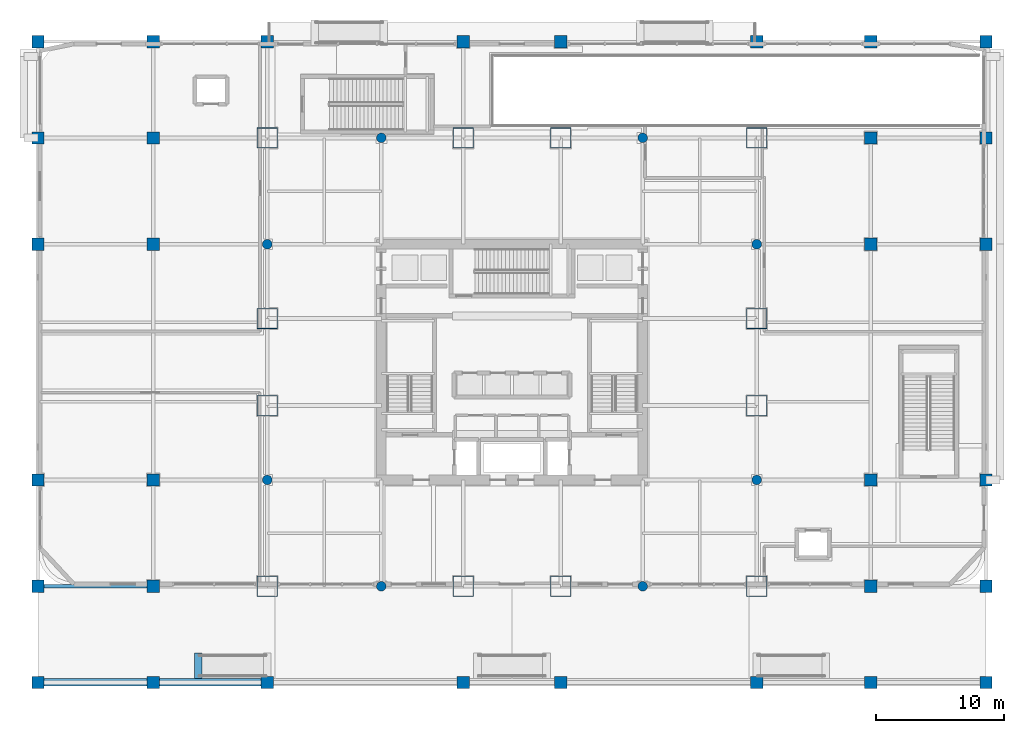
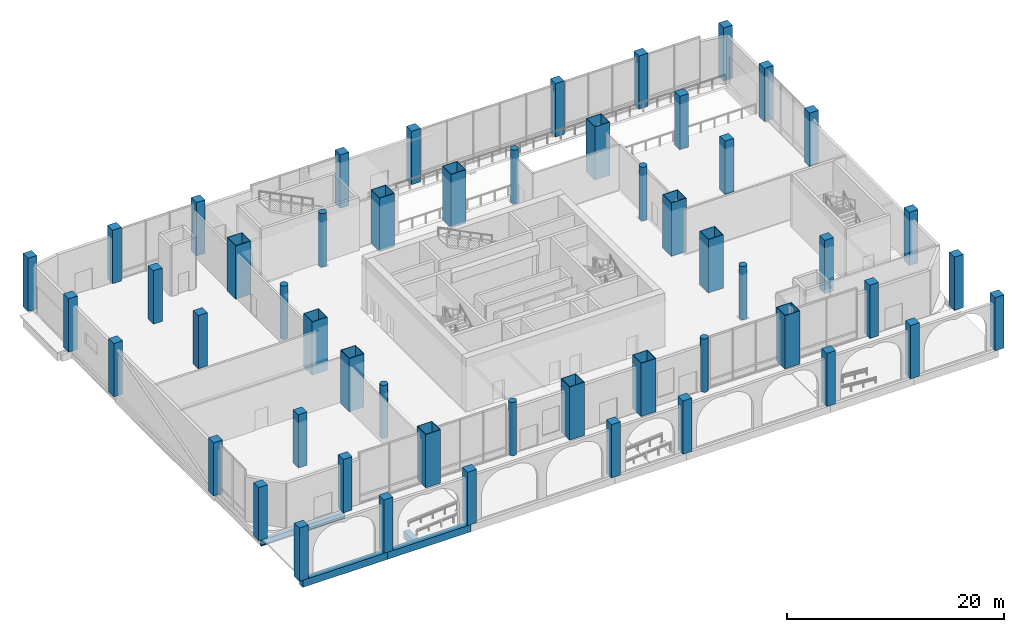
# One storey, part 1 of 32: 52 columns, 4 beams.
"""IFC4 building model written with IfcOpenShell, lengths in metres."""

from ifc_helpers import new_model, si_unit, direction, frame, origin, origin_2d, place, context, subcontext, project, spatial, rectangle, hollow_rectangle, circle, i_section, extrude, material, material_profile, profile_set, type_object, element, save


model = new_model("IFC4")

# Units and contexts
model_context = context("Model", 3, precision=1e-05, world=origin(), true_north=direction((0.0, 1.0)))
body_context = subcontext(model_context, "Body", "Model", "MODEL_VIEW")
ifc_project = project(units=[si_unit("LENGTHUNIT", "METRE"), si_unit("AREAUNIT", "SQUARE_METRE"), si_unit("VOLUMEUNIT", "CUBIC_METRE"), si_unit("PLANEANGLEUNIT", "RADIAN"), si_unit("MASSUNIT", "GRAM", prefix="KILO")], contexts=[model_context])

# Site, building, storey
site_placement = place(None, origin())
site = spatial("IfcSite", under=ifc_project, at=site_placement, CompositionType="ELEMENT")
building_placement = place(site_placement, origin())
building = spatial("IfcBuilding", under=site, at=building_placement, Name="Punatoya Terracotta Tower", CompositionType="ELEMENT")
storey_placement = place(building_placement, origin())
storey = spatial("IfcBuildingStorey", under=building, at=storey_placement, Name="L00", CompositionType="ELEMENT", Elevation=0.0)

# Columns
ifc_material_1 = material(Name="Steel S460", Category="steel")
ifc_material_profile_1 = material_profile(ifc_material_1, hollow_rectangle(XDim=1.60009765625, YDim=1.60009765625, WallThickness=0.050048828125, at=origin_2d()))
ifc_profile_set_1 = profile_set([ifc_material_profile_1], Name="Steel S460")
column_type_1 = type_object("IfcColumnType", Name="COL-MC-Z0", PredefinedType="COLUMN", material=ifc_profile_set_1)
for number, where, z_axis, x_axis, name in (
    (1, (-19.10009765625, -17.5, 0.0), (0.0, 0.0, 1.0), (1.0, 0.0, 0.0), "L00 Composite Mega-Column MC-01 (3-B)"),
    (2, (-3.800048828125, -17.5, 0.0), (0.0, 0.0, 1.0), (1.0, 0.0, 0.0), "L00 Composite Mega-Column MC-02 (5-B)"),
    (3, (3.800048828125, -17.5, 0.0), (0.0, 0.0, 1.0), (1.0, 0.0, 0.0), "L00 Composite Mega-Column MC-03 (7-B)"),
    (4, (19.10009765625, -17.5, 0.0), (0.0, 0.0, 1.0), (1.0, 0.0, 0.0), "L00 Composite Mega-Column MC-04 (9-B)"),
    (5, (19.10009765625, -3.39990234375, 0.0), (0.0, 0.0, 1.0), (1.0, 0.0, 0.0), "L00 Composite Mega-Column MC-05 (9-D)"),
    (6, (19.10009765625, 3.39990234375, 0.0), (0.0, 0.0, 1.0), (1.0, 0.0, 0.0), "L00 Composite Mega-Column MC-06 (9-E)"),
    (7, (19.10009765625, 17.5, 0.0), (0.0, 0.0, 1.0), (1.0, 0.0, 0.0), "L00 Composite Mega-Column MC-07 (9-G)"),
    (8, (3.800048828125, 17.5, 0.0), (0.0, 0.0, 1.0), (1.0, 0.0, 0.0), "L00 Composite Mega-Column MC-08 (7-G)"),
    (9, (-3.800048828125, 17.5, 0.0), (0.0, 0.0, 1.0), (1.0, 0.0, 0.0), "L00 Composite Mega-Column MC-09 (5-G)"),
    (10, (-19.10009765625, 17.5, 0.0), (0.0, 0.0, 1.0), (1.0, 0.0, 0.0), "L00 Composite Mega-Column MC-10 (3-G)"),
    (11, (-19.10009765625, 3.39990234375, 0.0), (0.0, 0.0, 1.0), (1.0, 0.0, 0.0), "L00 Composite Mega-Column MC-11 (3-E)"),
    (12, (-19.10009765625, -3.39990234375, 0.0), (0.0, 0.0, 1.0), (1.0, 0.0, 0.0), "L00 Composite Mega-Column MC-12 (3-D)"),
):
    element("IfcColumn", number, at=place(storey_placement, frame(where, z_axis=z_axis, x_axis=x_axis)), inside=storey, type_object=column_type_1, Name=name, PredefinedType="COLUMN", context=body_context, shape_type="SweptSolid", body=[
        extrude(hollow_rectangle(XDim=1.60009765625, YDim=1.60009765625, WallThickness=0.050048828125, at=origin_2d()), origin(), (0.0, 0.0, 1.0), 6.0),
    ])
ifc_material_2 = material(Name="Concrete C50/60", Category="concrete")
ifc_material_profile_2 = material_profile(ifc_material_2, circle(Radius=0.375, at=origin_2d()))
ifc_profile_set_2 = profile_set([ifc_material_profile_2], Name="Concrete C50/60")
column_type_2 = type_object("IfcColumnType", Name="COL-PIL-750", PredefinedType="PILASTER", material=ifc_profile_set_2)
for number, where, z_axis, x_axis, name in (
    (13, (-10.199951171875, -17.5, 0.0), (0.0, 0.0, 1.0), (1.0, 0.0, 0.0), "L00 Spine Arcade Pilaster PIL-01"),
    (14, (10.199951171875, -17.5, 0.0), (0.0, 0.0, 1.0), (1.0, 0.0, 0.0), "L00 Spine Arcade Pilaster PIL-02"),
    (15, (-10.199951171875, 17.5, 0.0), (0.0, 0.0, 1.0), (1.0, 0.0, 0.0), "L00 Spine Arcade Pilaster PIL-03"),
    (16, (10.199951171875, 17.5, 0.0), (0.0, 0.0, 1.0), (1.0, 0.0, 0.0), "L00 Spine Arcade Pilaster PIL-04"),
    (17, (-19.10009765625, -9.199951171875, 0.0), (0.0, 0.0, 1.0), (1.0, 0.0, 0.0), "L00 Spine Arcade Pilaster PIL-05"),
    (18, (19.10009765625, -9.199951171875, 0.0), (0.0, 0.0, 1.0), (1.0, 0.0, 0.0), "L00 Spine Arcade Pilaster PIL-06"),
    (19, (-19.10009765625, 9.199951171875, 0.0), (0.0, 0.0, 1.0), (1.0, 0.0, 0.0), "L00 Spine Arcade Pilaster PIL-07"),
    (20, (19.10009765625, 9.199951171875, 0.0), (0.0, 0.0, 1.0), (1.0, 0.0, 0.0), "L00 Spine Arcade Pilaster PIL-08"),
):
    element("IfcColumn", number, at=place(storey_placement, frame(where, z_axis=z_axis, x_axis=x_axis)), inside=storey, type_object=column_type_2, Name=name, PredefinedType="PILASTER", context=body_context, shape_type="SweptSolid", body=[
        extrude(circle(Radius=0.375, at=origin_2d()), origin(), (0.0, 0.0, 1.0), 6.0),
    ])
ifc_material_3 = material(Name="Concrete C60/75", Category="concrete")
ifc_material_profile_3 = material_profile(ifc_material_3, rectangle(XDim=0.949951171875, YDim=0.949951171875, at=origin_2d()))
ifc_profile_set_3 = profile_set([ifc_material_profile_3], Name="Concrete C60/75")
column_type_3 = type_object("IfcColumnType", Name="COL-RC-950", PredefinedType="COLUMN", material=ifc_profile_set_3)
for number, where, z_axis, x_axis, name in (
    (21, (-37.0, -25.0, 0.0), (0.0, 0.0, 1.0), (1.0, 0.0, 0.0), "L00 Podium Column PC-01 (1-A)"),
    (22, (-28.0, -25.0, 0.0), (0.0, 0.0, 1.0), (1.0, 0.0, 0.0), "L00 Podium Column PC-02 (2-A)"),
    (23, (-19.10009765625, -25.0, 0.0), (0.0, 0.0, 1.0), (1.0, 0.0, 0.0), "L00 Podium Column PC-03 (3-A)"),
    (24, (-3.800048828125, -25.0, 0.0), (0.0, 0.0, 1.0), (1.0, 0.0, 0.0), "L00 Podium Column PC-04 (5-A)"),
    (25, (3.800048828125, -25.0, 0.0), (0.0, 0.0, 1.0), (1.0, 0.0, 0.0), "L00 Podium Column PC-05 (7-A)"),
    (26, (19.10009765625, -25.0, 0.0), (0.0, 0.0, 1.0), (1.0, 0.0, 0.0), "L00 Podium Column PC-06 (9-A)"),
    (27, (28.0, -25.0, 0.0), (0.0, 0.0, 1.0), (1.0, 0.0, 0.0), "L00 Podium Column PC-07 (10-A)"),
    (28, (37.0, -25.0, 0.0), (0.0, 0.0, 1.0), (1.0, 0.0, 0.0), "L00 Podium Column PC-08 (11-A)"),
    (29, (-37.0, -17.5, 0.0), (0.0, 0.0, 1.0), (1.0, 0.0, 0.0), "L00 Podium Column PC-09 (1-B)"),
    (30, (-28.0, -17.5, 0.0), (0.0, 0.0, 1.0), (1.0, 0.0, 0.0), "L00 Podium Column PC-10 (2-B)"),
    (31, (28.0, -17.5, 0.0), (0.0, 0.0, 1.0), (1.0, 0.0, 0.0), "L00 Podium Column PC-11 (10-B)"),
    (32, (37.0, -17.5, 0.0), (0.0, 0.0, 1.0), (1.0, 0.0, 0.0), "L00 Podium Column PC-12 (11-B)"),
    (33, (-37.0, -9.199951171875, 0.0), (0.0, 0.0, 1.0), (1.0, 0.0, 0.0), "L00 Podium Column PC-13 (1-C)"),
    (34, (37.0, -9.199951171875, 0.0), (0.0, 0.0, 1.0), (1.0, 0.0, 0.0), "L00 Podium Column PC-14 (11-C)"),
    (35, (-37.0, 9.199951171875, 0.0), (0.0, 0.0, 1.0), (1.0, 0.0, 0.0), "L00 Podium Column PC-15 (1-F)"),
    (36, (37.0, 9.199951171875, 0.0), (0.0, 0.0, 1.0), (1.0, 0.0, 0.0), "L00 Podium Column PC-16 (11-F)"),
    (37, (-37.0, 17.5, 0.0), (0.0, 0.0, 1.0), (1.0, 0.0, 0.0), "L00 Podium Column PC-17 (1-G)"),
    (38, (-28.0, 17.5, 0.0), (0.0, 0.0, 1.0), (1.0, 0.0, 0.0), "L00 Podium Column PC-18 (2-G)"),
    (39, (28.0, 17.5, 0.0), (0.0, 0.0, 1.0), (1.0, 0.0, 0.0), "L00 Podium Column PC-19 (10-G)"),
    (40, (37.0, 17.5, 0.0), (0.0, 0.0, 1.0), (1.0, 0.0, 0.0), "L00 Podium Column PC-20 (11-G)"),
    (41, (-37.0, 25.0, 0.0), (0.0, 0.0, 1.0), (1.0, 0.0, 0.0), "L00 Podium Column PC-21 (1-H)"),
    (42, (-28.0, 25.0, 0.0), (0.0, 0.0, 1.0), (1.0, 0.0, 0.0), "L00 Podium Column PC-22 (2-H)"),
    (43, (-19.10009765625, 25.0, 0.0), (0.0, 0.0, 1.0), (1.0, 0.0, 0.0), "L00 Podium Column PC-23 (3-H)"),
    (44, (-3.800048828125, 25.0, 0.0), (0.0, 0.0, 1.0), (1.0, 0.0, 0.0), "L00 Podium Column PC-24 (5-H)"),
    (45, (3.800048828125, 25.0, 0.0), (0.0, 0.0, 1.0), (1.0, 0.0, 0.0), "L00 Podium Column PC-25 (7-H)"),
    (46, (19.10009765625, 25.0, 0.0), (0.0, 0.0, 1.0), (1.0, 0.0, 0.0), "L00 Podium Column PC-26 (9-H)"),
    (47, (28.0, 25.0, 0.0), (0.0, 0.0, 1.0), (1.0, 0.0, 0.0), "L00 Podium Column PC-27 (10-H)"),
    (48, (37.0, 25.0, 0.0), (0.0, 0.0, 1.0), (1.0, 0.0, 0.0), "L00 Podium Column PC-28 (11-H)"),
    (49, (-28.0, -9.199951171875, 0.0), (0.0, 0.0, 1.0), (1.0, 0.0, 0.0), "L00 Podium Column PC-29 (2-C)"),
    (50, (-28.0, 9.199951171875, 0.0), (0.0, 0.0, 1.0), (1.0, 0.0, 0.0), "L00 Podium Column PC-30 (2-F)"),
    (51, (28.0, -9.199951171875, 0.0), (0.0, 0.0, 1.0), (1.0, 0.0, 0.0), "L00 Podium Column PC-31 (10-C)"),
    (52, (28.0, 9.199951171875, 0.0), (0.0, 0.0, 1.0), (1.0, 0.0, 0.0), "L00 Podium Column PC-32 (10-F)"),
):
    element("IfcColumn", number, at=place(storey_placement, frame(where, z_axis=z_axis, x_axis=x_axis)), inside=storey, type_object=column_type_3, Name=name, PredefinedType="COLUMN", context=body_context, shape_type="SweptSolid", body=[
        extrude(rectangle(XDim=0.949951171875, YDim=0.949951171875, at=origin_2d()), origin(), (0.0, 0.0, 1.0), 6.0),
    ])

# Beams
ifc_material_4 = material(Name="Steel S355", Category="steel")
ifc_material_profile_4 = material_profile(ifc_material_4, i_section(OverallWidth=0.300048828125, OverallDepth=0.699951171875, WebThickness=0.01708984375, FlangeThickness=0.031982421875, FilletRadius=0.01806640625, at=origin_2d()))
ifc_profile_set_4 = profile_set([ifc_material_profile_4], Name="Steel S355")
beam_type_1 = type_object("IfcBeamType", Name="BM-PRI-700", PredefinedType="BEAM", material=ifc_profile_set_4)
beam_1_placement = place(storey_placement, frame((-37.0, -17.5, -0.6298828125), z_axis=(1.0, 0.0, 0.0), x_axis=(0.0, 1.0, 0.0)))
element("IfcBeam", 53, at=beam_1_placement, inside=storey, type_object=beam_type_1, Name="BM-L00-BW1", PredefinedType="BEAM", context=body_context, shape_type="SweptSolid", body=[
    extrude(i_section(OverallWidth=0.300048828125, OverallDepth=0.699951171875, WebThickness=0.01708984375, FlangeThickness=0.031982421875, FilletRadius=0.01806640625, at=origin_2d()), origin(), (0.0, 0.0, 1.0), 9.0),
])
ifc_material_5 = material(Name="Concrete C45/55", Category="concrete")
ifc_material_profile_5 = material_profile(ifc_material_5, rectangle(XDim=0.60009765625, YDim=0.800048828125, at=origin_2d()))
ifc_profile_set_5 = profile_set([ifc_material_profile_5], Name="Concrete C45/55")
beam_type_2 = type_object("IfcBeamType", Name="BM-RC-GRD", PredefinedType="BEAM", material=ifc_profile_set_5)
beam_2_placement = place(storey_placement, frame((-37.0, -25.0, -0.550048828125), z_axis=(1.0, 0.0, 0.0), x_axis=(0.0, 1.0, 0.0)))
element("IfcBeam", 54, at=beam_2_placement, inside=storey, type_object=beam_type_2, Name="GB-PROM-1", PredefinedType="BEAM", context=body_context, shape_type="SweptSolid", body=[
    extrude(rectangle(XDim=0.60009765625, YDim=0.800048828125, at=origin_2d()), origin(), (0.0, 0.0, 1.0), 9.0),
])
beam_3_placement = place(storey_placement, frame((-28.0, -25.0, -0.550048828125), z_axis=(1.0, 0.0, 0.0), x_axis=(0.0, 1.0, 0.0)))
element("IfcBeam", 55, at=beam_3_placement, inside=storey, type_object=beam_type_2, Name="GB-PROM-2", PredefinedType="BEAM", context=body_context, shape_type="SweptSolid", body=[
    extrude(rectangle(XDim=0.60009765625, YDim=0.800048828125, at=origin_2d()), origin(), (0.0, 0.0, 1.0), 8.89990234375),
])
beam_4_placement = place(storey_placement, frame((-24.5, -24.699951171875, -0.85009765625), z_axis=(0.0, 1.0, 0.0), x_axis=(-1.0, 0.0, 0.0)))
element("IfcBeam", 56, at=beam_4_placement, inside=storey, type_object=beam_type_2, Name="GB-PR1-LO", PredefinedType="BEAM", context=body_context, shape_type="SweptSolid", body=[
    extrude(rectangle(XDim=0.60009765625, YDim=0.800048828125, at=origin_2d()), origin(), (0.0, 0.0, 1.0), 2.0),
])

save(model, "model.ifc")
